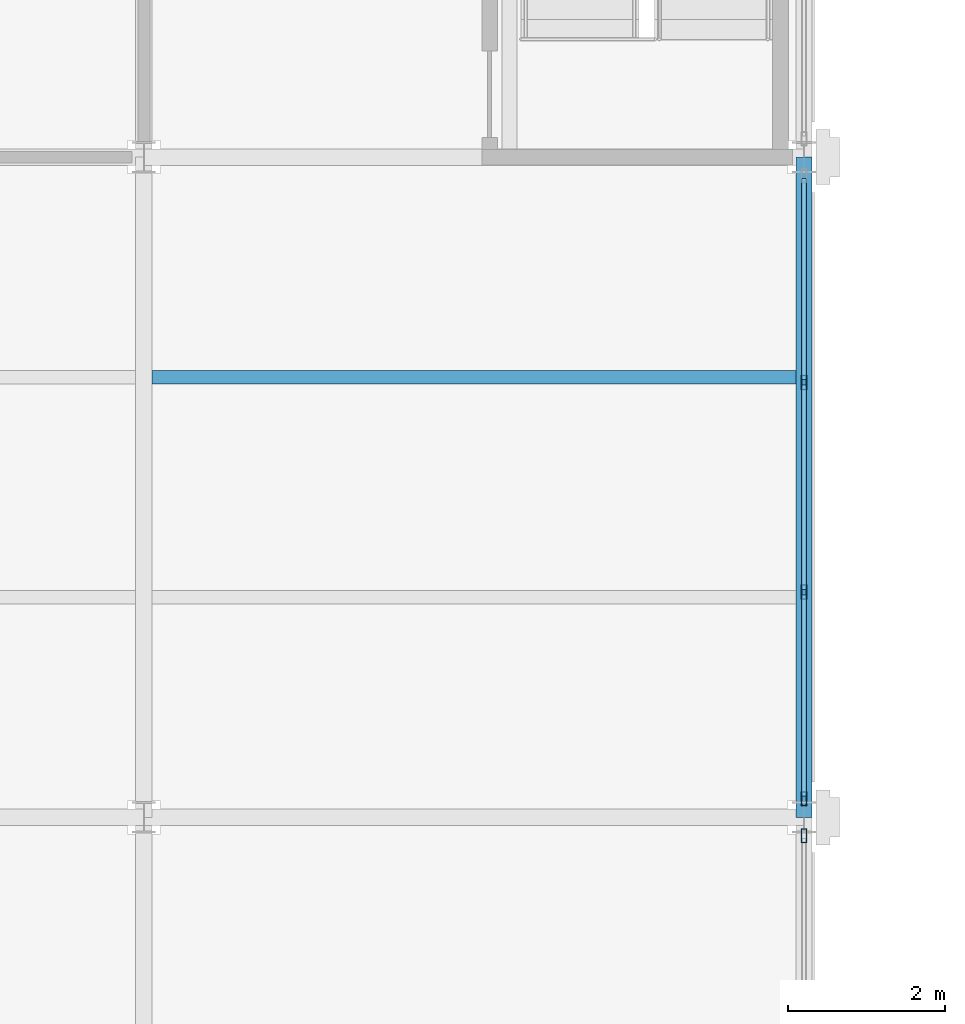
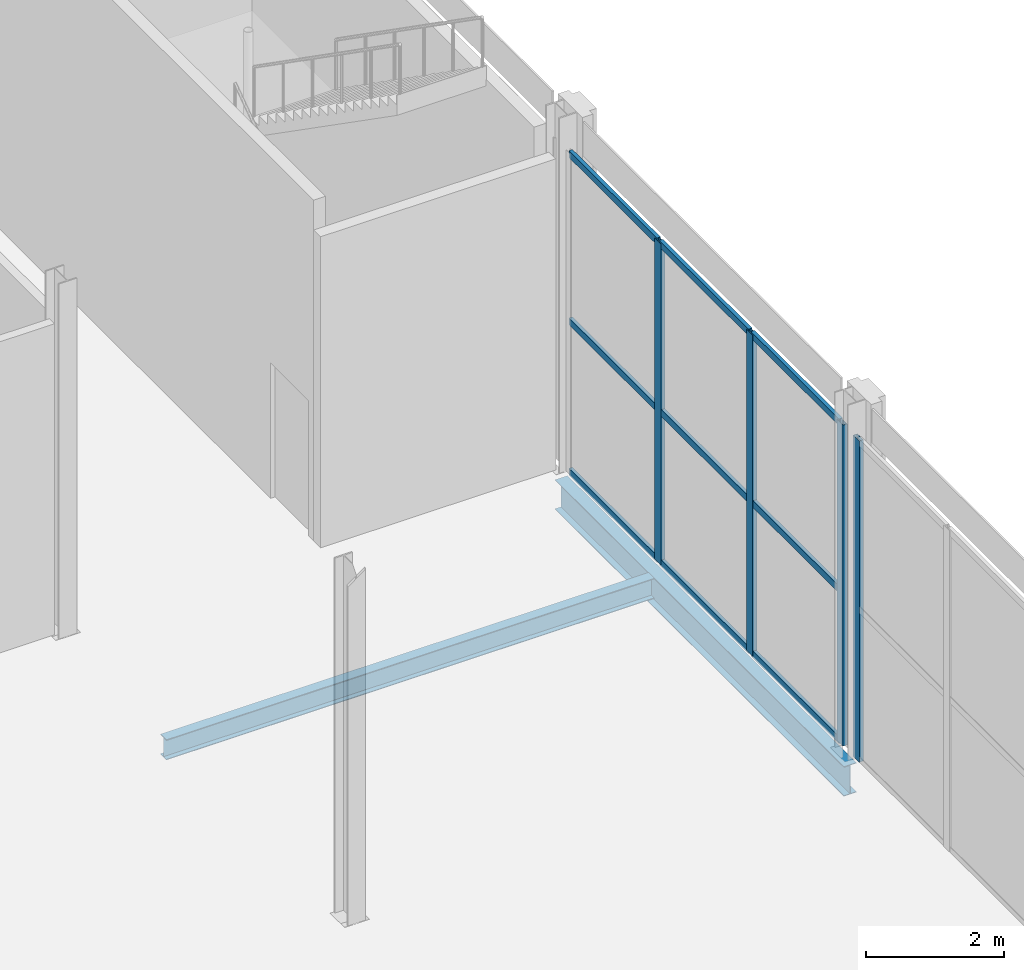
# One storey, part 36 of 77: 13 members, 2 beams, 2 elements without a shape of their own.
"""IFC4 building model written with IfcOpenShell, lengths in metres."""

from ifc_helpers import new_model, si_unit, direction, frame, origin, origin_2d, place, context, subcontext, project, spatial, hollow_rectangle, i_section, extrude, material, material_profile, profile_set, type_object, element, aggregate, save


model = new_model("IFC4")

# Units and contexts
model_context = context("Model", 3, precision=1e-05, world=origin(), true_north=direction((0.0, 1.0)))
body_context = subcontext(model_context, "Body", "Model", "MODEL_VIEW")
ifc_project = project(units=[si_unit("LENGTHUNIT", "METRE"), si_unit("AREAUNIT", "SQUARE_METRE"), si_unit("VOLUMEUNIT", "CUBIC_METRE"), si_unit("PLANEANGLEUNIT", "RADIAN"), si_unit("MASSUNIT", "GRAM", prefix="KILO")], contexts=[model_context])

# Site, building, storey
site_placement = place(None, origin())
site = spatial("IfcSite", under=ifc_project, at=site_placement, CompositionType="ELEMENT")
building_placement = place(site_placement, origin())
building = spatial("IfcBuilding", under=site, at=building_placement, Name="Catenary Quay Ferry Terminal", CompositionType="ELEMENT")
storey_placement = place(building_placement, frame((0.0, 0.0, 10.800048828125)))
storey = spatial("IfcBuildingStorey", under=building, at=storey_placement, Name="L02", CompositionType="ELEMENT", Elevation=10.800048828125)

# Beams
ifc_material_1 = material(Name="Steel S355", Category="steel")
ifc_material_profile_1 = material_profile(ifc_material_1, i_section(OverallWidth=0.208740234375, OverallDepth=0.5283203125, WebThickness=0.009521484375, FlangeThickness=0.01318359375, at=origin_2d()), Name="UB 533x210x82")
ifc_profile_set_1 = profile_set([ifc_material_profile_1], Name="Steel S355")
beam_type_1 = type_object("IfcBeamType", Name="B5 UB 533x210x82", PredefinedType="BEAM", material=ifc_profile_set_1)
beam_1_placement = place(storey_placement, frame((67.199951171875, 184.800048828125, -0.51416015625), z_axis=(0.0, 1.0, 0.0), x_axis=(-1.0, 0.0, 0.0)))
element("IfcBeam", 1, at=beam_1_placement, inside=storey, type_object=beam_type_1, Name="Beam B5-047", PredefinedType="BEAM", context=body_context, shape_type="SweptSolid", body=[
    extrude(i_section(OverallWidth=0.208740234375, OverallDepth=0.5283203125, WebThickness=0.009521484375, FlangeThickness=0.01318359375, at=origin_2d()), origin(), (0.0, 0.0, 1.0), 8.39990234375),
])
ifc_material_2 = material(Name="Steel S355", Category="steel")
ifc_material_profile_2 = material_profile(ifc_material_2, i_section(OverallWidth=0.169921875, OverallDepth=0.360107421875, WebThickness=0.008056640625, FlangeThickness=0.0126953125, at=origin_2d()), Name="IPE 360")
ifc_profile_set_2 = profile_set([ifc_material_profile_2], Name="Steel S355")
beam_type_2 = type_object("IfcBeamType", Name="B7 IPE 360", PredefinedType="BEAM", material=ifc_profile_set_2)
beam_2_placement = place(storey_placement, frame((58.904052734375, 190.39990234375, -0.429931640625), z_axis=(1.0, 0.0, 0.0), x_axis=(0.0, 1.0, 0.0)))
element("IfcBeam", 2, at=beam_2_placement, inside=storey, type_object=beam_type_2, Name="Beam B7-034", PredefinedType="BEAM", context=body_context, shape_type="SweptSolid", body=[
    extrude(i_section(OverallWidth=0.169921875, OverallDepth=0.360107421875, WebThickness=0.008056640625, FlangeThickness=0.0126953125, at=origin_2d()), origin(), (0.0, 0.0, 1.0), 8.19189453125),
])

# Curtain wall, member
ifc_material_3 = material(Name="Aluminium and glass", Category="aluminium")
curtain_wall_type = type_object("IfcCurtainWallType", Name="CWW2", PredefinedType="NOTDEFINED", material=ifc_material_3)
curtain_wall_1_placement = place(storey_placement, origin())
curtain_wall_1 = element("IfcCurtainWall", 3, at=curtain_wall_1_placement, inside=storey, type_object=curtain_wall_type, Name="Wing curtain wall CW132", PredefinedType="NOTDEFINED")
ifc_material_4 = material(Name="Aluminium", Category="aluminium")
ifc_material_profile_3 = material_profile(ifc_material_4, hollow_rectangle(XDim=0.070068359375, YDim=0.179931640625, WallThickness=0.006103515625, at=origin_2d()), Name="MU3")
ifc_profile_set_3 = profile_set([ifc_material_profile_3], Name="Aluminium")
member_type_1 = type_object("IfcMemberType", Name="MU3", PredefinedType="MULLION", material=ifc_profile_set_3)
member_1_placement = place(storey_placement, frame((67.199951171875, 184.56494140625, 0.0), z_axis=(0.0, 0.0, 1.0), x_axis=(-1.0, 0.0, 0.0)))
member_1 = element("IfcMember", 4, at=member_1_placement, type_object=member_type_1, Name="CW132 mullion 4", PredefinedType="MULLION", context=body_context, shape_type="SweptSolid", body=[
    extrude(hollow_rectangle(XDim=0.070068359375, YDim=0.179931640625, WallThickness=0.006103515625, at=origin_2d()), origin(), (0.0, 0.0, 1.0), 5.699951171875),
])
aggregate(curtain_wall_1, [member_1])

# Curtain wall, members
curtain_wall_2_placement = place(storey_placement, origin())
curtain_wall_2 = element("IfcCurtainWall", 5, at=curtain_wall_2_placement, inside=storey, type_object=curtain_wall_type, Name="Wing curtain wall CW133", PredefinedType="NOTDEFINED")
member_2_placement = place(storey_placement, frame((67.199951171875, 185.034912109375, 0.0), z_axis=(0.0, 0.0, 1.0), x_axis=(-1.0, 0.0, 0.0)))
member_2 = element("IfcMember", 6, at=member_2_placement, type_object=member_type_1, Name="CW133 mullion 1", PredefinedType="MULLION", context=body_context, shape_type="SweptSolid", body=[
    extrude(hollow_rectangle(XDim=0.070068359375, YDim=0.179931640625, WallThickness=0.006103515625, at=origin_2d()), origin(), (0.0, 0.0, 1.0), 5.699951171875),
])
member_3_placement = place(storey_placement, frame((67.199951171875, 187.666748046875, 0.0), z_axis=(0.0, 0.0, 1.0), x_axis=(-1.0, 0.0, 0.0)))
member_3 = element("IfcMember", 7, at=member_3_placement, type_object=member_type_1, Name="CW133 mullion 2", PredefinedType="MULLION", context=body_context, shape_type="SweptSolid", body=[
    extrude(hollow_rectangle(XDim=0.070068359375, YDim=0.179931640625, WallThickness=0.006103515625, at=origin_2d()), origin(), (0.0, 0.0, 1.0), 5.699951171875),
])
member_4_placement = place(storey_placement, frame((67.199951171875, 190.333251953125, 0.0), z_axis=(0.0, 0.0, 1.0), x_axis=(-1.0, 0.0, 0.0)))
member_4 = element("IfcMember", 8, at=member_4_placement, type_object=member_type_1, Name="CW133 mullion 3", PredefinedType="MULLION", context=body_context, shape_type="SweptSolid", body=[
    extrude(hollow_rectangle(XDim=0.070068359375, YDim=0.179931640625, WallThickness=0.006103515625, at=origin_2d()), origin(), (0.0, 0.0, 1.0), 5.699951171875),
])
ifc_material_5 = material(Name="Aluminium", Category="aluminium")
ifc_material_profile_4 = material_profile(ifc_material_5, hollow_rectangle(XDim=0.06005859375, YDim=0.1201171875, WallThickness=0.0048828125, at=origin_2d()), Name="TR3")
ifc_profile_set_4 = profile_set([ifc_material_profile_4], Name="Aluminium")
member_type_2 = type_object("IfcMemberType", Name="TR3", PredefinedType="USERDEFINED", material=ifc_profile_set_4)
member_5_placement = place(storey_placement, frame((67.199951171875, 185.070068359375, 0.030029296875), z_axis=(0.0, 1.0, 0.0), x_axis=(-1.0, 0.0, 0.0)))
member_5 = element("IfcMember", 9, at=member_5_placement, type_object=member_type_2, Name="CW133 transom 1.1", ObjectType="TRANSOM", PredefinedType="USERDEFINED", context=body_context, shape_type="SweptSolid", body=[
    extrude(hollow_rectangle(XDim=0.06005859375, YDim=0.1201171875, WallThickness=0.0048828125, at=origin_2d()), origin(), (0.0, 0.0, 1.0), 2.5615234375),
])
member_6_placement = place(storey_placement, frame((67.199951171875, 185.070068359375, 2.699951171875), z_axis=(0.0, 1.0, 0.0), x_axis=(-1.0, 0.0, 0.0)))
member_6 = element("IfcMember", 10, at=member_6_placement, type_object=member_type_2, Name="CW133 transom 1.2", ObjectType="TRANSOM", PredefinedType="USERDEFINED", context=body_context, shape_type="SweptSolid", body=[
    extrude(hollow_rectangle(XDim=0.06005859375, YDim=0.1201171875, WallThickness=0.0048828125, at=origin_2d()), origin(), (0.0, 0.0, 1.0), 2.5615234375),
])
member_7_placement = place(storey_placement, frame((67.199951171875, 185.070068359375, 5.669921875), z_axis=(0.0, 1.0, 0.0), x_axis=(-1.0, 0.0, 0.0)))
member_7 = element("IfcMember", 11, at=member_7_placement, type_object=member_type_2, Name="CW133 transom 1.3", ObjectType="TRANSOM", PredefinedType="USERDEFINED", context=body_context, shape_type="SweptSolid", body=[
    extrude(hollow_rectangle(XDim=0.06005859375, YDim=0.1201171875, WallThickness=0.0048828125, at=origin_2d()), origin(), (0.0, 0.0, 1.0), 2.5615234375),
])
member_8_placement = place(storey_placement, frame((67.199951171875, 187.70166015625, 0.030029296875), z_axis=(0.0, 1.0, 0.0), x_axis=(-1.0, 0.0, 0.0)))
member_8 = element("IfcMember", 12, at=member_8_placement, type_object=member_type_2, Name="CW133 transom 2.1", ObjectType="TRANSOM", PredefinedType="USERDEFINED", context=body_context, shape_type="SweptSolid", body=[
    extrude(hollow_rectangle(XDim=0.06005859375, YDim=0.1201171875, WallThickness=0.0048828125, at=origin_2d()), origin(), (0.0, 0.0, 1.0), 2.5966796875),
])
member_9_placement = place(storey_placement, frame((67.199951171875, 187.70166015625, 2.699951171875), z_axis=(0.0, 1.0, 0.0), x_axis=(-1.0, 0.0, 0.0)))
member_9 = element("IfcMember", 13, at=member_9_placement, type_object=member_type_2, Name="CW133 transom 2.2", ObjectType="TRANSOM", PredefinedType="USERDEFINED", context=body_context, shape_type="SweptSolid", body=[
    extrude(hollow_rectangle(XDim=0.06005859375, YDim=0.1201171875, WallThickness=0.0048828125, at=origin_2d()), origin(), (0.0, 0.0, 1.0), 2.5966796875),
])
member_10_placement = place(storey_placement, frame((67.199951171875, 187.70166015625, 5.669921875), z_axis=(0.0, 1.0, 0.0), x_axis=(-1.0, 0.0, 0.0)))
member_10 = element("IfcMember", 14, at=member_10_placement, type_object=member_type_2, Name="CW133 transom 2.3", ObjectType="TRANSOM", PredefinedType="USERDEFINED", context=body_context, shape_type="SweptSolid", body=[
    extrude(hollow_rectangle(XDim=0.06005859375, YDim=0.1201171875, WallThickness=0.0048828125, at=origin_2d()), origin(), (0.0, 0.0, 1.0), 2.5966796875),
])
member_11_placement = place(storey_placement, frame((67.199951171875, 190.368408203125, 0.030029296875), z_axis=(0.0, 1.0, 0.0), x_axis=(-1.0, 0.0, 0.0)))
member_11 = element("IfcMember", 15, at=member_11_placement, type_object=member_type_2, Name="CW133 transom 3.1", ObjectType="TRANSOM", PredefinedType="USERDEFINED", context=body_context, shape_type="SweptSolid", body=[
    extrude(hollow_rectangle(XDim=0.06005859375, YDim=0.1201171875, WallThickness=0.0048828125, at=origin_2d()), origin(), (0.0, 0.0, 1.0), 2.5615234375),
])
member_12_placement = place(storey_placement, frame((67.199951171875, 190.368408203125, 2.699951171875), z_axis=(0.0, 1.0, 0.0), x_axis=(-1.0, 0.0, 0.0)))
member_12 = element("IfcMember", 16, at=member_12_placement, type_object=member_type_2, Name="CW133 transom 3.2", ObjectType="TRANSOM", PredefinedType="USERDEFINED", context=body_context, shape_type="SweptSolid", body=[
    extrude(hollow_rectangle(XDim=0.06005859375, YDim=0.1201171875, WallThickness=0.0048828125, at=origin_2d()), origin(), (0.0, 0.0, 1.0), 2.5615234375),
])
member_13_placement = place(storey_placement, frame((67.199951171875, 190.368408203125, 5.669921875), z_axis=(0.0, 1.0, 0.0), x_axis=(-1.0, 0.0, 0.0)))
member_13 = element("IfcMember", 17, at=member_13_placement, type_object=member_type_2, Name="CW133 transom 3.3", ObjectType="TRANSOM", PredefinedType="USERDEFINED", context=body_context, shape_type="SweptSolid", body=[
    extrude(hollow_rectangle(XDim=0.06005859375, YDim=0.1201171875, WallThickness=0.0048828125, at=origin_2d()), origin(), (0.0, 0.0, 1.0), 2.5615234375),
])
aggregate(curtain_wall_2, [member_2, member_3, member_4, member_5, member_6, member_7, member_8, member_9, member_10, member_11, member_12, member_13])

save(model, "model.ifc")
